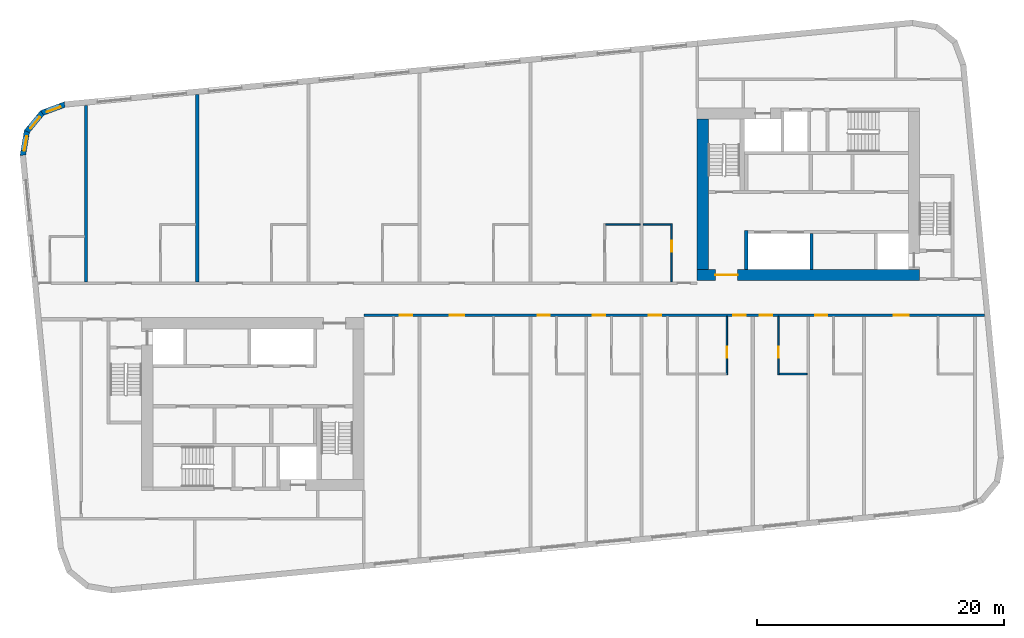
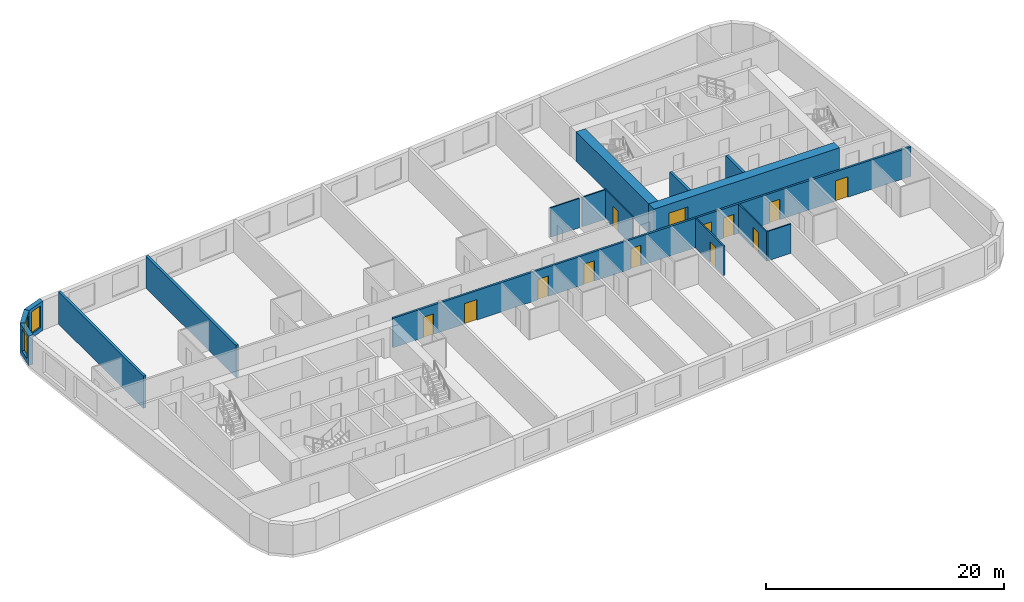
# One storey, part 5 of 11: 16 walls, 13 doors, 3 windows, 16 openings.
"""IFC4 building model written with IfcOpenShell, lengths in metres."""

from ifc_helpers import new_model, si_unit, direction, frame, frame_2d, origin, place, context, subcontext, project, spatial, polyline, rectangle, outline, extrude, material, layer, layer_set, type_object, element, fill, save


model = new_model("IFC4")

# Units and contexts
model_context = context("Model", 3, precision=1e-05, world=origin(), true_north=direction((0.0, 1.0)))
body_context = subcontext(model_context, "Body", "Model", "MODEL_VIEW")
ifc_project = project(units=[si_unit("LENGTHUNIT", "METRE"), si_unit("AREAUNIT", "SQUARE_METRE"), si_unit("VOLUMEUNIT", "CUBIC_METRE"), si_unit("PLANEANGLEUNIT", "RADIAN"), si_unit("MASSUNIT", "GRAM", prefix="KILO")], contexts=[model_context])

# Site, building, storey
site_placement = place(None, origin())
site = spatial("IfcSite", under=ifc_project, at=site_placement, CompositionType="ELEMENT")
building_placement = place(site_placement, origin())
building = spatial("IfcBuilding", under=site, at=building_placement, Name="Kajstack Hotel Tower", CompositionType="ELEMENT")
storey_placement = place(building_placement, frame((0.0, 0.0, 285.0)))
storey = spatial("IfcBuildingStorey", under=building, at=storey_placement, Name="L71", CompositionType="ELEMENT", Elevation=285.0)

# Wall, opening, door
ifc_material_1 = material(Name="Concrete C60/75", Category="concrete")
ifc_layer_1 = layer(ifc_material_1, 0.89990234375)
ifc_layer_set_1 = layer_set([ifc_layer_1], Name="Core wall 900")
wall_type_1 = type_object("IfcWallType", Name="Core wall 900", PredefinedType="SHEAR", material=ifc_layer_set_1)
wall_1_placement = place(storey_placement, frame((13.5, 1.949951171875, 0.0), z_axis=(0.0, 0.0, 1.0), x_axis=(1.0, 0.0, 0.0)))
wall_1 = element("IfcWall", 1, at=wall_1_placement, inside=storey, type_object=wall_type_1, Name="Core wall E RN", PredefinedType="SHEAR", context=body_context, shape_type="SweptSolid", body=[
    extrude(rectangle(XDim=18.0, YDim=0.89990234375, at=frame_2d((9.0, 0.0))), origin(), (0.0, 0.0, 1.0), 3.02001953125),
])
opening_1_placement = place(wall_1_placement, frame((1.47509765625, 0.0, 0.0)))
opening_1 = element("IfcOpeningElement", 2, at=opening_1_placement, cuts=wall_1, Name="Opening 71E05", PredefinedType="OPENING", context=body_context, shape_type="SweptSolid", body=[
    extrude(rectangle(XDim=1.800048828125, YDim=2.10009765625, at=frame_2d((0.89990234375, 1.050048828125))), frame((0.0, 0.4599609375, 0.0), z_axis=(0.0, -1.0, 0.0), x_axis=(1.0, 0.0, 0.0)), (0.0, 0.0, 1.0), 0.919921875),
])
ifc_material_2 = material(Name="Glazed steel frame, fire-rated glass", Category="steel")
door_type_1 = type_object("IfcDoorType", Name="Lobby double door 1800", OperationType="DOUBLE_DOOR_DOUBLE_SWING", PredefinedType="DOOR", material=ifc_material_2)
door_1_placement = place(opening_1_placement, origin())
door_1 = element("IfcDoor", 3, at=door_1_placement, inside=storey, type_object=door_type_1, Name="Door 71E05", OperationType="DOUBLE_DOOR_DOUBLE_SWING", OverallHeight=2.10009765625, OverallWidth=1.800048828125, PredefinedType="DOOR", context=body_context, shape_type="SweptSolid", body=[
    extrude(rectangle(XDim=1.800048828125, YDim=2.10009765625, at=frame_2d((0.89990234375, 1.050048828125))), frame((0.0, 0.02490234375, 0.0), z_axis=(0.0, -1.0, 0.0), x_axis=(1.0, 0.0, 0.0)), (0.0, 0.0, 1.0), 0.050048828125),
])
fill(opening_1, door_1)

# Wall
wall_2_placement = place(storey_placement, frame((13.949951171875, 2.39990234375, 0.0), z_axis=(0.0, 0.0, 1.0), x_axis=(0.0, 1.0, 0.0)))
element("IfcWall", 4, at=wall_2_placement, inside=storey, type_object=wall_type_1, Name="Core wall E RE", PredefinedType="SHEAR", context=body_context, shape_type="SweptSolid", body=[
    extrude(rectangle(XDim=12.2001953125, YDim=0.89990234375, at=frame_2d((6.10009765625, 0.0))), origin(), (0.0, 0.0, 1.0), 3.02001953125),
])

# Wall, openings, doors
ifc_material_3 = material(Name="Gypsum board on steel studs, mineral wool", Category="steel")
ifc_layer_2 = layer(ifc_material_3, 0.199951171875)
ifc_layer_set_2 = layer_set([ifc_layer_2], Name="Corridor wall 200")
wall_type_2 = type_object("IfcWallType", Name="Corridor wall 200", PredefinedType="PARTITIONING", material=ifc_layer_set_2)
wall_3_placement = place(storey_placement, frame((-13.5, -1.300048828125, 0.0), z_axis=(0.0, 0.0, 1.0), x_axis=(1.0, 0.0, 0.0)))
wall_3 = element("IfcWall", 5, at=wall_3_placement, inside=storey, type_object=wall_type_2, Name="G-wall-L71-018", PredefinedType="PARTITIONING", context=body_context, shape_type="SweptSolid", body=[
    extrude(rectangle(XDim=50.29296875, YDim=0.199951171875, at=frame_2d((25.146484375, 0.0))), origin(), (0.0, 0.0, 1.0), 3.02001953125),
])
opening_2_placement = place(wall_3_placement, frame((2.925048828125, 0.0, 0.0)))
opening_2 = element("IfcOpeningElement", 6, at=opening_2_placement, cuts=wall_3, Name="Opening 71015", PredefinedType="OPENING", context=body_context, shape_type="SweptSolid", body=[
    extrude(rectangle(XDim=1.0, YDim=2.10009765625, at=frame_2d((0.5, 1.050048828125))), frame((0.0, 0.10986328125, 0.0), z_axis=(0.0, -1.0, 0.0), x_axis=(1.0, 0.0, 0.0)), (0.0, 0.0, 1.0), 0.219970703125),
])
opening_3_placement = place(wall_3_placement, frame((6.93798828125, 0.0, 0.0)))
opening_3 = element("IfcOpeningElement", 7, at=opening_3_placement, cuts=wall_3, Name="Opening 71017", PredefinedType="OPENING", context=body_context, shape_type="SweptSolid", body=[
    extrude(rectangle(XDim=1.199951171875, YDim=2.10009765625, at=frame_2d((0.60009765625, 1.050048828125))), frame((0.0, 0.10986328125, 0.0), z_axis=(0.0, -1.0, 0.0), x_axis=(1.0, 0.0, 0.0)), (0.0, 0.0, 1.0), 0.219970703125),
])
opening_4_placement = place(wall_3_placement, frame((14.074951171875, 0.0, 0.0)))
opening_4 = element("IfcOpeningElement", 8, at=opening_4_placement, cuts=wall_3, Name="Opening 71019", PredefinedType="OPENING", context=body_context, shape_type="SweptSolid", body=[
    extrude(rectangle(XDim=1.0, YDim=2.10009765625, at=frame_2d((0.5, 1.050048828125))), frame((0.0, 0.10986328125, 0.0), z_axis=(0.0, -1.0, 0.0), x_axis=(1.0, 0.0, 0.0)), (0.0, 0.0, 1.0), 0.219970703125),
])
opening_5_placement = place(wall_3_placement, frame((18.550048828125, 0.0, 0.0)))
opening_5 = element("IfcOpeningElement", 9, at=opening_5_placement, cuts=wall_3, Name="Opening 71021", PredefinedType="OPENING", context=body_context, shape_type="SweptSolid", body=[
    extrude(rectangle(XDim=1.0, YDim=2.10009765625, at=frame_2d((0.5, 1.050048828125))), frame((0.0, 0.10986328125, 0.0), z_axis=(0.0, -1.0, 0.0), x_axis=(1.0, 0.0, 0.0)), (0.0, 0.0, 1.0), 0.219970703125),
])
opening_6_placement = place(wall_3_placement, frame((23.074951171875, 0.0, 0.0)))
opening_6 = element("IfcOpeningElement", 10, at=opening_6_placement, cuts=wall_3, Name="Opening 71023", PredefinedType="OPENING", context=body_context, shape_type="SweptSolid", body=[
    extrude(rectangle(XDim=1.0, YDim=2.10009765625, at=frame_2d((0.5, 1.050048828125))), frame((0.0, 0.10986328125, 0.0), z_axis=(0.0, -1.0, 0.0), x_axis=(1.0, 0.0, 0.0)), (0.0, 0.0, 1.0), 0.219970703125),
])
opening_7_placement = place(wall_3_placement, frame((29.925048828125, 0.0, 0.0)))
opening_7 = element("IfcOpeningElement", 11, at=opening_7_placement, cuts=wall_3, Name="Opening 71025", PredefinedType="OPENING", context=body_context, shape_type="SweptSolid", body=[
    extrude(rectangle(XDim=1.0, YDim=2.10009765625, at=frame_2d((0.5, 1.050048828125))), frame((0.0, 0.10986328125, 0.0), z_axis=(0.0, -1.0, 0.0), x_axis=(1.0, 0.0, 0.0)), (0.0, 0.0, 1.0), 0.219970703125),
])
opening_8_placement = place(wall_3_placement, frame((32.074951171875, 0.0, 0.0)))
opening_8 = element("IfcOpeningElement", 12, at=opening_8_placement, cuts=wall_3, Name="Opening 71027", PredefinedType="OPENING", context=body_context, shape_type="SweptSolid", body=[
    extrude(rectangle(XDim=1.0, YDim=2.10009765625, at=frame_2d((0.5, 1.050048828125))), frame((0.0, 0.10986328125, 0.0), z_axis=(0.0, -1.0, 0.0), x_axis=(1.0, 0.0, 0.0)), (0.0, 0.0, 1.0), 0.219970703125),
])
opening_9_placement = place(wall_3_placement, frame((36.550048828125, 0.0, 0.0)))
opening_9 = element("IfcOpeningElement", 13, at=opening_9_placement, cuts=wall_3, Name="Opening 71029", PredefinedType="OPENING", context=body_context, shape_type="SweptSolid", body=[
    extrude(rectangle(XDim=1.0, YDim=2.10009765625, at=frame_2d((0.5, 1.050048828125))), frame((0.0, 0.10986328125, 0.0), z_axis=(0.0, -1.0, 0.0), x_axis=(1.0, 0.0, 0.0)), (0.0, 0.0, 1.0), 0.219970703125),
])
opening_10_placement = place(wall_3_placement, frame((42.93798828125, 0.0, 0.0)))
opening_10 = element("IfcOpeningElement", 14, at=opening_10_placement, cuts=wall_3, Name="Opening 71031", PredefinedType="OPENING", context=body_context, shape_type="SweptSolid", body=[
    extrude(rectangle(XDim=1.199951171875, YDim=2.10009765625, at=frame_2d((0.60009765625, 1.050048828125))), frame((0.0, 0.10986328125, 0.0), z_axis=(0.0, -1.0, 0.0), x_axis=(1.0, 0.0, 0.0)), (0.0, 0.0, 1.0), 0.219970703125),
])
ifc_material_4 = material(Name="Oak veneer on timber core, fire-rated leaf", Category="wood")
door_type_2 = type_object("IfcDoorType", Name="Flat entrance door 1000", OperationType="SINGLE_SWING_LEFT", PredefinedType="DOOR", material=ifc_material_4)
door_2_placement = place(opening_2_placement, origin())
door_2 = element("IfcDoor", 15, at=door_2_placement, inside=storey, type_object=door_type_2, Name="G-door-L71-15", OperationType="SINGLE_SWING_LEFT", OverallHeight=2.10009765625, OverallWidth=1.0, PredefinedType="DOOR", context=body_context, shape_type="SweptSolid", body=[
    extrude(rectangle(XDim=1.0, YDim=2.10009765625, at=frame_2d((0.5, 1.050048828125))), frame((0.0, 0.02490234375, 0.0), z_axis=(0.0, -1.0, 0.0), x_axis=(1.0, 0.0, 0.0)), (0.0, 0.0, 1.0), 0.050048828125),
])
fill(opening_2, door_2)
door_3_placement = place(opening_4_placement, origin())
door_3 = element("IfcDoor", 16, at=door_3_placement, inside=storey, type_object=door_type_2, Name="G-door-L71-19", OperationType="SINGLE_SWING_LEFT", OverallHeight=2.10009765625, OverallWidth=1.0, PredefinedType="DOOR", context=body_context, shape_type="SweptSolid", body=[
    extrude(rectangle(XDim=1.0, YDim=2.10009765625, at=frame_2d((0.5, 1.050048828125))), frame((0.0, 0.02490234375, 0.0), z_axis=(0.0, -1.0, 0.0), x_axis=(1.0, 0.0, 0.0)), (0.0, 0.0, 1.0), 0.050048828125),
])
fill(opening_4, door_3)
door_4_placement = place(opening_5_placement, origin())
door_4 = element("IfcDoor", 17, at=door_4_placement, inside=storey, type_object=door_type_2, Name="G-door-L71-21", OperationType="SINGLE_SWING_RIGHT", OverallHeight=2.10009765625, OverallWidth=1.0, PredefinedType="DOOR", context=body_context, shape_type="SweptSolid", body=[
    extrude(rectangle(XDim=1.0, YDim=2.10009765625, at=frame_2d((0.5, 1.050048828125))), frame((0.0, 0.02490234375, 0.0), z_axis=(0.0, -1.0, 0.0), x_axis=(1.0, 0.0, 0.0)), (0.0, 0.0, 1.0), 0.050048828125),
])
fill(opening_5, door_4)
door_5_placement = place(opening_6_placement, origin())
door_5 = element("IfcDoor", 18, at=door_5_placement, inside=storey, type_object=door_type_2, Name="G-door-L71-23", OperationType="SINGLE_SWING_LEFT", OverallHeight=2.10009765625, OverallWidth=1.0, PredefinedType="DOOR", context=body_context, shape_type="SweptSolid", body=[
    extrude(rectangle(XDim=1.0, YDim=2.10009765625, at=frame_2d((0.5, 1.050048828125))), frame((0.0, 0.02490234375, 0.0), z_axis=(0.0, -1.0, 0.0), x_axis=(1.0, 0.0, 0.0)), (0.0, 0.0, 1.0), 0.050048828125),
])
fill(opening_6, door_5)
door_6_placement = place(opening_7_placement, origin())
door_6 = element("IfcDoor", 19, at=door_6_placement, inside=storey, type_object=door_type_2, Name="G-door-L71-25", OperationType="SINGLE_SWING_LEFT", OverallHeight=2.10009765625, OverallWidth=1.0, PredefinedType="DOOR", context=body_context, shape_type="SweptSolid", body=[
    extrude(rectangle(XDim=1.0, YDim=2.10009765625, at=frame_2d((0.5, 1.050048828125))), frame((0.0, 0.02490234375, 0.0), z_axis=(0.0, -1.0, 0.0), x_axis=(1.0, 0.0, 0.0)), (0.0, 0.0, 1.0), 0.050048828125),
])
fill(opening_7, door_6)
door_7_placement = place(opening_8_placement, origin())
door_7 = element("IfcDoor", 20, at=door_7_placement, inside=storey, type_object=door_type_2, Name="G-door-L71-27", OperationType="SINGLE_SWING_RIGHT", OverallHeight=2.10009765625, OverallWidth=1.0, PredefinedType="DOOR", context=body_context, shape_type="SweptSolid", body=[
    extrude(rectangle(XDim=1.0, YDim=2.10009765625, at=frame_2d((0.5, 1.050048828125))), frame((0.0, 0.02490234375, 0.0), z_axis=(0.0, -1.0, 0.0), x_axis=(1.0, 0.0, 0.0)), (0.0, 0.0, 1.0), 0.050048828125),
])
fill(opening_8, door_7)
door_8_placement = place(opening_9_placement, origin())
door_8 = element("IfcDoor", 21, at=door_8_placement, inside=storey, type_object=door_type_2, Name="G-door-L71-29", OperationType="SINGLE_SWING_RIGHT", OverallHeight=2.10009765625, OverallWidth=1.0, PredefinedType="DOOR", context=body_context, shape_type="SweptSolid", body=[
    extrude(rectangle(XDim=1.0, YDim=2.10009765625, at=frame_2d((0.5, 1.050048828125))), frame((0.0, 0.02490234375, 0.0), z_axis=(0.0, -1.0, 0.0), x_axis=(1.0, 0.0, 0.0)), (0.0, 0.0, 1.0), 0.050048828125),
])
fill(opening_9, door_8)
door_type_3 = type_object("IfcDoorType", Name="Flat entrance door 1200", OperationType="SINGLE_SWING_LEFT", PredefinedType="DOOR", material=ifc_material_4)
door_9_placement = place(opening_3_placement, origin())
door_9 = element("IfcDoor", 22, at=door_9_placement, inside=storey, type_object=door_type_3, Name="G-door-L71-17", OperationType="SINGLE_SWING_LEFT", OverallHeight=2.10009765625, OverallWidth=1.199951171875, PredefinedType="DOOR", context=body_context, shape_type="SweptSolid", body=[
    extrude(rectangle(XDim=1.199951171875, YDim=2.10009765625, at=frame_2d((0.60009765625, 1.050048828125))), frame((0.0, 0.02490234375, 0.0), z_axis=(0.0, -1.0, 0.0), x_axis=(1.0, 0.0, 0.0)), (0.0, 0.0, 1.0), 0.050048828125),
])
fill(opening_3, door_9)
door_10_placement = place(opening_10_placement, origin())
door_10 = element("IfcDoor", 23, at=door_10_placement, inside=storey, type_object=door_type_3, Name="G-door-L71-31", OperationType="SINGLE_SWING_LEFT", OverallHeight=2.10009765625, OverallWidth=1.199951171875, PredefinedType="DOOR", context=body_context, shape_type="SweptSolid", body=[
    extrude(rectangle(XDim=1.199951171875, YDim=2.10009765625, at=frame_2d((0.60009765625, 1.050048828125))), frame((0.0, 0.02490234375, 0.0), z_axis=(0.0, -1.0, 0.0), x_axis=(1.0, 0.0, 0.0)), (0.0, 0.0, 1.0), 0.050048828125),
])
fill(opening_10, door_10)

# Wall, opening, window
ifc_material_5 = material(Name="Terracotta-faced brick masonry", Category="masonry")
ifc_layer_3 = layer(ifc_material_5, 0.449951171875)
ifc_layer_set_3 = layer_set([ifc_layer_3], Name="EW-TERRA")
wall_type_3 = type_object("IfcWallType", Name="EW-TERRA", PredefinedType="SOLIDWALL", material=ifc_layer_set_3)
wall_4_placement = place(storey_placement, frame((-37.67919921875, 15.79052734375, 0.0), z_axis=(0.0, 0.0, 1.0), x_axis=(-0.936677599948, -0.350192909346, 0.0)))
wall_4 = element("IfcWall", 24, at=wall_4_placement, inside=storey, type_object=wall_type_3, Name="E-wall-L71-13-00", PredefinedType="SOLIDWALL", context=body_context, shape_type="SweptSolid", body=[
    extrude(outline(polyline([(0.000244140625, -0.224853515625), (2.070556640625, -0.224853515625), (1.949951171875, 0.22509765625), (0.12060546875, 0.22509765625), (0.000244140625, -0.224853515625)])), origin(), (0.0, 0.0, 1.0), 3.02001953125),
])
opening_11_placement = place(wall_4_placement, frame((0.435302734375, 0.0, 0.449951171875)))
opening_11 = element("IfcOpeningElement", 25, at=opening_11_placement, cuts=wall_4, Name="Opening W3", PredefinedType="OPENING", context=body_context, shape_type="SweptSolid", body=[
    extrude(rectangle(XDim=1.199951171875, YDim=2.25, at=frame_2d((0.60009765625, 1.125))), frame((0.0, 0.23486328125, 0.0), z_axis=(0.0, -1.0, 0.0), x_axis=(1.0, 0.0, 0.0)), (0.0, 0.0, 1.0), 0.469970703125),
])
ifc_material_6 = material(Name="Timber-aluminium window, triple glazed", Category="wood")
window_type = type_object("IfcWindowType", Name="WG3", PartitioningType="SINGLE_PANEL", PredefinedType="WINDOW", material=ifc_material_6)
window_1_placement = place(opening_11_placement, origin())
window_1 = element("IfcWindow", 26, at=window_1_placement, inside=storey, type_object=window_type, Name="Window W3 L71-13", OverallHeight=2.25, OverallWidth=1.199951171875, PartitioningType="SINGLE_PANEL", PredefinedType="WINDOW", context=body_context, shape_type="SweptSolid", body=[
    extrude(rectangle(XDim=1.199951171875, YDim=2.25, at=frame_2d((0.60009765625, 1.125))), frame((0.0, 0.090087890625, 0.0), z_axis=(0.0, -1.0, 0.0), x_axis=(1.0, 0.0, 0.0)), (0.0, 0.0, 1.0), 0.06005859375),
])
fill(opening_11, window_1)

wall_5_placement = place(storey_placement, frame((-39.52392578125, 15.133056640625, 0.0), z_axis=(0.0, 0.0, 1.0), x_axis=(-0.636046112757, -0.771651049663, 0.0)))
wall_5 = element("IfcWall", 27, at=wall_5_placement, inside=storey, type_object=wall_type_3, Name="E-wall-L71-14-00", PredefinedType="SOLIDWALL", context=body_context, shape_type="SweptSolid", body=[
    extrude(outline(polyline([(0.0, -0.224853515625), (2.070556640625, -0.224853515625), (1.949951171875, 0.22509765625), (0.12060546875, 0.22509765625), (0.0, -0.224853515625)])), origin(), (0.0, 0.0, 1.0), 3.02001953125),
])
opening_12_placement = place(wall_5_placement, frame((0.435302734375, 0.0, 0.449951171875)))
opening_12 = element("IfcOpeningElement", 28, at=opening_12_placement, cuts=wall_5, Name="Opening W3", PredefinedType="OPENING", context=body_context, shape_type="SweptSolid", body=[
    extrude(rectangle(XDim=1.199951171875, YDim=2.25, at=frame_2d((0.60009765625, 1.125))), frame((0.0, 0.23486328125, 0.0), z_axis=(0.0, -1.0, 0.0), x_axis=(1.0, 0.0, 0.0)), (0.0, 0.0, 1.0), 0.469970703125),
])
window_2_placement = place(opening_12_placement, origin())
window_2 = element("IfcWindow", 29, at=window_2_placement, inside=storey, type_object=window_type, Name="Window W3 L71-14", OverallHeight=2.25, OverallWidth=1.199951171875, PartitioningType="SINGLE_PANEL", PredefinedType="WINDOW", context=body_context, shape_type="SweptSolid", body=[
    extrude(rectangle(XDim=1.199951171875, YDim=2.25, at=frame_2d((0.60009765625, 1.125))), frame((0.0, 0.090087890625, 0.0), z_axis=(0.0, -1.0, 0.0), x_axis=(1.0, 0.0, 0.0)), (0.0, 0.0, 1.0), 0.06005859375),
])
fill(opening_12, window_2)

wall_6_placement = place(storey_placement, frame((-40.79248046875, 13.641357421875, 0.0), z_axis=(0.0, 0.0, 1.0), x_axis=(-0.165068144653, -0.986282164302, 0.0)))
wall_6 = element("IfcWall", 30, at=wall_6_placement, inside=storey, type_object=wall_type_3, Name="E-wall-L71-15-00", PredefinedType="SOLIDWALL", context=body_context, shape_type="SweptSolid", body=[
    extrude(outline(polyline([(0.0, -0.22509765625), (2.070556640625, -0.22509765625), (1.949951171875, 0.224853515625), (0.12060546875, 0.224853515625), (0.0, -0.22509765625)])), origin(), (0.0, 0.0, 1.0), 3.02001953125),
])
opening_13_placement = place(wall_6_placement, frame((0.435302734375, 0.0, 0.449951171875)))
opening_13 = element("IfcOpeningElement", 31, at=opening_13_placement, cuts=wall_6, Name="Opening W3", PredefinedType="OPENING", context=body_context, shape_type="SweptSolid", body=[
    extrude(rectangle(XDim=1.199951171875, YDim=2.25, at=frame_2d((0.60009765625, 1.125))), frame((0.0, 0.23486328125, 0.0), z_axis=(0.0, -1.0, 0.0), x_axis=(1.0, 0.0, 0.0)), (0.0, 0.0, 1.0), 0.469970703125),
])
window_3_placement = place(opening_13_placement, origin())
window_3 = element("IfcWindow", 32, at=window_3_placement, inside=storey, type_object=window_type, Name="Window W3 L71-15", OverallHeight=2.25, OverallWidth=1.199951171875, PartitioningType="SINGLE_PANEL", PredefinedType="WINDOW", context=body_context, shape_type="SweptSolid", body=[
    extrude(rectangle(XDim=1.199951171875, YDim=2.25, at=frame_2d((0.60009765625, 1.125))), frame((0.0, 0.090087890625, 0.0), z_axis=(0.0, -1.0, 0.0), x_axis=(1.0, 0.0, 0.0)), (0.0, 0.0, 1.0), 0.06005859375),
])
fill(opening_13, window_3)

# Wall
ifc_material_7 = material(Name="Gypsum board and tiled backer on steel studs", Category="steel")
ifc_layer_4 = layer(ifc_material_7, 0.125)
ifc_layer_set_4 = layer_set([ifc_layer_4], Name="En-suite wall 125")
wall_type_4 = type_object("IfcWallType", Name="En-suite wall 125", PredefinedType="PARTITIONING", material=ifc_layer_set_4)
wall_7_placement = place(storey_placement, frame((6.074951171875, 6.06201171875, 0.0), z_axis=(0.0, 0.0, 1.0), x_axis=(1.0, 0.0, 0.0)))
element("IfcWall", 33, at=wall_7_placement, inside=storey, type_object=wall_type_4, Name="G-wall-L71-015", PredefinedType="PARTITIONING", context=body_context, shape_type="SweptSolid", body=[
    extrude(rectangle(XDim=2.800048828125, YDim=0.125, at=frame_2d((1.39990234375, 0.0))), origin(), (0.0, 0.0, 1.0), 3.02001953125),
])

# Wall, opening, door
wall_8_placement = place(storey_placement, frame((11.43798828125, 1.39990234375, 0.0), z_axis=(0.0, 0.0, 1.0), x_axis=(0.0, 1.0, 0.0)))
wall_8 = element("IfcWall", 34, at=wall_8_placement, inside=storey, type_object=wall_type_4, Name="G-wall-L71-016", PredefinedType="PARTITIONING", context=body_context, shape_type="SweptSolid", body=[
    extrude(rectangle(XDim=4.72509765625, YDim=0.125, at=frame_2d((2.362548828125, 0.0))), origin(), (0.0, 0.0, 1.0), 3.02001953125),
])
opening_14_placement = place(wall_8_placement, frame((2.449951171875, 0.0, 0.0)))
opening_14 = element("IfcOpeningElement", 35, at=opening_14_placement, cuts=wall_8, Name="Opening 71014", PredefinedType="OPENING", context=body_context, shape_type="SweptSolid", body=[
    extrude(rectangle(XDim=0.89990234375, YDim=2.10009765625, at=frame_2d((0.449951171875, 1.050048828125))), frame((0.0, 0.072509765625, 0.0), z_axis=(0.0, -1.0, 0.0), x_axis=(1.0, 0.0, 0.0)), (0.0, 0.0, 1.0), 0.14501953125),
])
ifc_material_8 = material(Name="Painted timber door leaf", Category="wood")
door_type_4 = type_object("IfcDoorType", Name="Room door 900", OperationType="SINGLE_SWING_LEFT", PredefinedType="DOOR", material=ifc_material_8)
door_11_placement = place(opening_14_placement, origin())
door_11 = element("IfcDoor", 36, at=door_11_placement, inside=storey, type_object=door_type_4, Name="G-door-L71-14", OperationType="SINGLE_SWING_LEFT", OverallHeight=2.10009765625, OverallWidth=0.89990234375, PredefinedType="DOOR", context=body_context, shape_type="SweptSolid", body=[
    extrude(rectangle(XDim=0.89990234375, YDim=2.10009765625, at=frame_2d((0.449951171875, 1.050048828125))), frame((0.0, 0.02490234375, 0.0), z_axis=(0.0, -1.0, 0.0), x_axis=(1.0, 0.0, 0.0)), (0.0, 0.0, 1.0), 0.050048828125),
])
fill(opening_14, door_11)

# Wall
wall_9_placement = place(storey_placement, frame((9.125, 6.06201171875, 0.0), z_axis=(0.0, 0.0, 1.0), x_axis=(1.0, 0.0, 0.0)))
element("IfcWall", 37, at=wall_9_placement, inside=storey, type_object=wall_type_4, Name="G-wall-L71-017", PredefinedType="PARTITIONING", context=body_context, shape_type="SweptSolid", body=[
    extrude(rectangle(XDim=2.25, YDim=0.125, at=frame_2d((1.125, 0.0))), origin(), (0.0, 0.0, 1.0), 3.02001953125),
])

# Wall, opening, door
wall_10_placement = place(storey_placement, frame((15.912109375, -6.125, 0.0), z_axis=(0.0, 0.0, 1.0), x_axis=(0.0, 1.0, 0.0)))
wall_10 = element("IfcWall", 38, at=wall_10_placement, inside=storey, type_object=wall_type_4, Name="G-wall-L71-031", PredefinedType="PARTITIONING", context=body_context, shape_type="SweptSolid", body=[
    extrude(rectangle(XDim=4.72509765625, YDim=0.125, at=frame_2d((2.362548828125, 0.0))), origin(), (0.0, 0.0, 1.0), 3.02001953125),
])
opening_15_placement = place(wall_10_placement, frame((1.375, 0.0, 0.0)))
opening_15 = element("IfcOpeningElement", 39, at=opening_15_placement, cuts=wall_10, Name="Opening 71026", PredefinedType="OPENING", context=body_context, shape_type="SweptSolid", body=[
    extrude(rectangle(XDim=0.89990234375, YDim=2.10009765625, at=frame_2d((0.449951171875, 1.050048828125))), frame((0.0, 0.072509765625, 0.0), z_axis=(0.0, -1.0, 0.0), x_axis=(1.0, 0.0, 0.0)), (0.0, 0.0, 1.0), 0.14501953125),
])
door_12_placement = place(opening_15_placement, origin())
door_12 = element("IfcDoor", 40, at=door_12_placement, inside=storey, type_object=door_type_4, Name="G-door-L71-26", OperationType="SINGLE_SWING_RIGHT", OverallHeight=2.10009765625, OverallWidth=0.89990234375, PredefinedType="DOOR", context=body_context, shape_type="SweptSolid", body=[
    extrude(rectangle(XDim=0.89990234375, YDim=2.10009765625, at=frame_2d((0.449951171875, 1.050048828125))), frame((0.0, 0.02490234375, 0.0), z_axis=(0.0, -1.0, 0.0), x_axis=(1.0, 0.0, 0.0)), (0.0, 0.0, 1.0), 0.050048828125),
])
fill(opening_15, door_12)

wall_11_placement = place(storey_placement, frame((20.0869140625, -6.125, 0.0), z_axis=(0.0, 0.0, 1.0), x_axis=(0.0, 1.0, 0.0)))
wall_11 = element("IfcWall", 41, at=wall_11_placement, inside=storey, type_object=wall_type_4, Name="G-wall-L71-034", PredefinedType="PARTITIONING", context=body_context, shape_type="SweptSolid", body=[
    extrude(rectangle(XDim=4.72509765625, YDim=0.125, at=frame_2d((2.362548828125, 0.0))), origin(), (0.0, 0.0, 1.0), 3.02001953125),
])
opening_16_placement = place(wall_11_placement, frame((1.375, 0.0, 0.0)))
opening_16 = element("IfcOpeningElement", 42, at=opening_16_placement, cuts=wall_11, Name="Opening 71028", PredefinedType="OPENING", context=body_context, shape_type="SweptSolid", body=[
    extrude(rectangle(XDim=0.89990234375, YDim=2.10009765625, at=frame_2d((0.449951171875, 1.050048828125))), frame((0.0, 0.072509765625, 0.0), z_axis=(0.0, -1.0, 0.0), x_axis=(1.0, 0.0, 0.0)), (0.0, 0.0, 1.0), 0.14501953125),
])
door_13_placement = place(opening_16_placement, origin())
door_13 = element("IfcDoor", 43, at=door_13_placement, inside=storey, type_object=door_type_4, Name="G-door-L71-28", OperationType="SINGLE_SWING_LEFT", OverallHeight=2.10009765625, OverallWidth=0.89990234375, PredefinedType="DOOR", context=body_context, shape_type="SweptSolid", body=[
    extrude(rectangle(XDim=0.89990234375, YDim=2.10009765625, at=frame_2d((0.449951171875, 1.050048828125))), frame((0.0, 0.02490234375, 0.0), z_axis=(0.0, -1.0, 0.0), x_axis=(1.0, 0.0, 0.0)), (0.0, 0.0, 1.0), 0.050048828125),
])
fill(opening_16, door_13)

# Walls
wall_12_placement = place(storey_placement, frame((20.14990234375, -6.06201171875, 0.0), z_axis=(0.0, 0.0, 1.0), x_axis=(1.0, 0.0, 0.0)))
element("IfcWall", 44, at=wall_12_placement, inside=storey, type_object=wall_type_4, Name="G-wall-L71-035", PredefinedType="PARTITIONING", context=body_context, shape_type="SweptSolid", body=[
    extrude(rectangle(XDim=2.25, YDim=0.125, at=frame_2d((1.125, 0.0))), origin(), (0.0, 0.0, 1.0), 3.02001953125),
])
ifc_material_9 = material(Name="Concrete C50/60", Category="concrete")
ifc_layer_5 = layer(ifc_material_9, 0.300048828125)
ifc_layer_set_5 = layer_set([ifc_layer_5], Name="Hoistway divider wall 300")
wall_type_5 = type_object("IfcWallType", Name="Hoistway divider wall 300", PredefinedType="SHEAR", material=ifc_layer_set_5)
wall_13_placement = place(storey_placement, frame((22.77490234375, 2.39990234375, 0.0), z_axis=(0.0, 0.0, 1.0), x_axis=(0.0, 1.0, 0.0)))
element("IfcWall", 45, at=wall_13_placement, inside=storey, type_object=wall_type_5, Name="Core wall E AP2", PredefinedType="SHEAR", context=body_context, shape_type="SweptSolid", body=[
    extrude(rectangle(XDim=2.900146484375, YDim=0.25, at=frame_2d((1.4501953125, 0.0))), origin(), (0.0, 0.0, 1.0), 3.02001953125),
])
ifc_material_10 = material(Name="Concrete C40/50", Category="concrete")
ifc_layer_6 = layer(ifc_material_10, 0.25)
ifc_layer_set_6 = layer_set([ifc_layer_6], Name="RC cross wall 250 C40/50")
wall_type_6 = type_object("IfcWallType", Name="RC cross wall 250 C40/50", PredefinedType="SHEAR", material=ifc_layer_set_6)
wall_14_placement = place(storey_placement, frame((-36.0, 1.39990234375, 0.0), z_axis=(0.0, 0.0, 1.0), x_axis=(0.0, 1.0, 0.0)))
element("IfcWall", 46, at=wall_14_placement, inside=storey, type_object=wall_type_6, Name="S-wall-L71-01", PredefinedType="SHEAR", context=body_context, shape_type="SweptSolid", body=[
    extrude(rectangle(XDim=14.29638671875, YDim=0.25, at=frame_2d((7.148193359375, 0.0))), origin(), (0.0, 0.0, 1.0), 3.300048828125),
])
wall_15_placement = place(storey_placement, frame((-27.0, 1.39990234375, 0.0), z_axis=(0.0, 0.0, 1.0), x_axis=(0.0, 1.0, 0.0)))
element("IfcWall", 47, at=wall_15_placement, inside=storey, type_object=wall_type_6, Name="S-wall-L71-02", PredefinedType="SHEAR", context=body_context, shape_type="SweptSolid", body=[
    extrude(rectangle(XDim=15.1630859375, YDim=0.25, at=frame_2d((7.58154296875, 0.0))), origin(), (0.0, 0.0, 1.0), 3.300048828125),
])
ifc_layer_7 = layer(ifc_material_9, 0.25)
ifc_layer_set_7 = layer_set([ifc_layer_7], Name="Shaft wall 250")
wall_type_7 = type_object("IfcWallType", Name="Shaft wall 250", PredefinedType="SHEAR", material=ifc_layer_set_7)
wall_16_placement = place(storey_placement, frame((17.47509765625, 2.39990234375, 0.0), z_axis=(0.0, 0.0, 1.0), x_axis=(0.0, 1.0, 0.0)))
element("IfcWall", 48, at=wall_16_placement, inside=storey, type_object=wall_type_7, Name="Core wall E AE", PredefinedType="SHEAR", context=body_context, shape_type="SweptSolid", body=[
    extrude(rectangle(XDim=3.150146484375, YDim=0.25, at=frame_2d((1.5751953125, 0.0))), origin(), (0.0, 0.0, 1.0), 3.02001953125),
])

save(model, "model.ifc")
